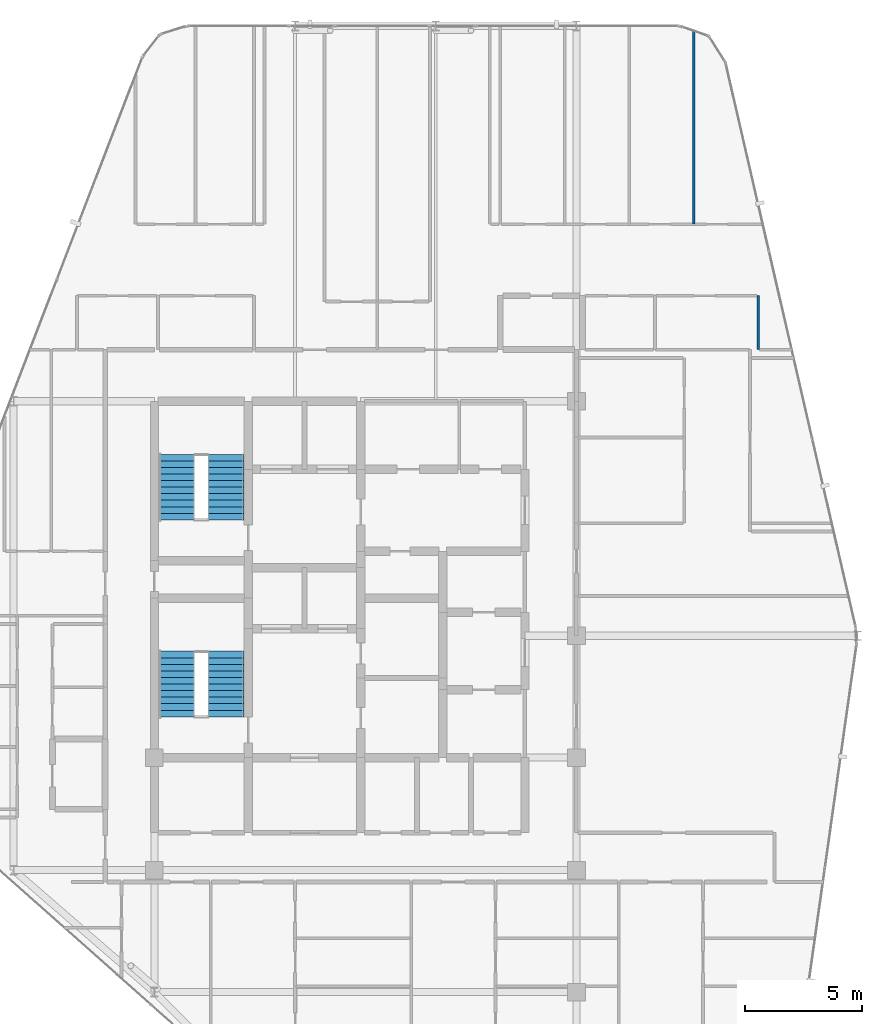
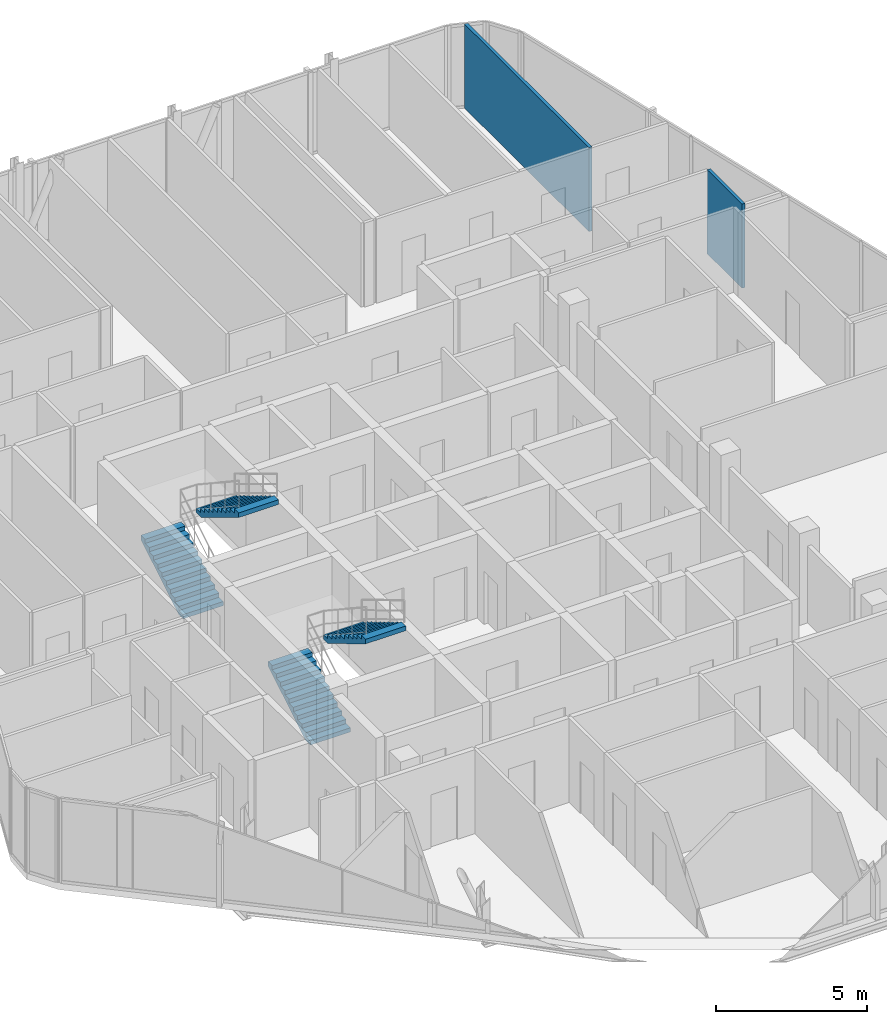
# One storey, part 27 of 28: 4 stair flights, 2 walls, 2 elements without a shape of their own.
"""IFC4 building model written with IfcOpenShell, lengths in metres."""

from ifc_helpers import new_model, si_unit, direction, frame, frame_2d, origin, place, context, subcontext, project, spatial, polyline, rectangle, outline, extrude, material, layer, layer_set, type_object, element, aggregate, save


model = new_model("IFC4")

# Units and contexts
model_context = context("Model", 3, precision=1e-05, world=origin(), true_north=direction((0.0, 1.0)))
body_context = subcontext(model_context, "Body", "Model", "MODEL_VIEW")
ifc_project = project(units=[si_unit("LENGTHUNIT", "METRE"), si_unit("AREAUNIT", "SQUARE_METRE"), si_unit("VOLUMEUNIT", "CUBIC_METRE"), si_unit("PLANEANGLEUNIT", "RADIAN"), si_unit("MASSUNIT", "GRAM", prefix="KILO")], contexts=[model_context])

# Site, building, storey
site_placement = place(None, origin())
site = spatial("IfcSite", under=ifc_project, at=site_placement, CompositionType="ELEMENT")
building_placement = place(site_placement, origin())
building = spatial("IfcBuilding", under=site, at=building_placement, Name="Keshet Zoharim Tower", CompositionType="ELEMENT")
storey_placement = place(building_placement, frame((0.0, 0.0, 258.39990234375)))
storey = spatial("IfcBuildingStorey", under=building, at=storey_placement, Name="L64", CompositionType="ELEMENT", Elevation=258.39990234375)

# Walls
ifc_material_1 = material(Name="Gypsum Plasterboard", Category="gypsum")
ifc_layer = layer(ifc_material_1, 0.1201171875)
ifc_layer_set = layer_set([ifc_layer], Name="Gypsum Plasterboard")
wall_type = type_object("IfcWallType", Name="WL-PART-120", PredefinedType="PARTITIONING", material=ifc_layer_set)
wall_1_placement = place(storey_placement, frame((38.0, 45.449951171875, 0.0), z_axis=(0.0, 0.0, 1.0), x_axis=(0.0, 1.0, 0.0)))
element("IfcWall", 1, at=wall_1_placement, inside=storey, type_object=wall_type, Name="L64 Interior Wall 087", PredefinedType="PARTITIONING", context=body_context, shape_type="SweptSolid", body=[
    extrude(rectangle(XDim=8.234130859375, YDim=0.1201171875, at=frame_2d((4.1171875, 0.0))), origin(), (0.0, 0.0, 1.0), 3.39013671875),
])
wall_2_placement = place(storey_placement, frame((40.75, 40.10009765625, 0.0), z_axis=(0.0, 0.0, 1.0), x_axis=(0.0, 1.0, 0.0)))
element("IfcWall", 2, at=wall_2_placement, inside=storey, type_object=wall_type, Name="L64 Interior Wall 094", PredefinedType="PARTITIONING", context=body_context, shape_type="SweptSolid", body=[
    extrude(rectangle(XDim=2.2998046875, YDim=0.1201171875, at=frame_2d((1.14990234375, 0.0))), origin(), (0.0, 0.0, 1.0), 3.39013671875),
])

# Stair, stair flights
ifc_material_2 = material(Name="Concrete C50/60", Category="concrete")
stair_type = type_object("IfcStairType", Name="STR-EXIT-135", PredefinedType="HALF_TURN_STAIR", material=ifc_material_2)
stair_1_placement = place(storey_placement, origin())
stair_1 = element("IfcStair", 3, at=stair_1_placement, inside=storey, type_object=stair_type, Name="L64 Enclosed Exit Stair ST-01", PredefinedType="HALF_TURN_STAIR")
stair_flight_type = type_object("IfcStairFlightType", Name="FLT-PRE-135", PredefinedType="STRAIGHT", material=ifc_material_2)
stair_flight_1_placement = place(storey_placement, frame((15.945068359375, 24.43994140625, 0.0), z_axis=(0.0, 0.0, 1.0), x_axis=(0.0, 1.0, 0.0)))
stair_flight_1 = element("IfcStairFlight", 4, at=stair_flight_1_placement, type_object=stair_flight_type, Name="ST-01 flight 1", NumberOfRisers=11, NumberOfTreads=10, PredefinedType="STRAIGHT", RiserHeight=0.168182, TreadLength=0.28, context=body_context, shape_type="SweptSolid", body=[
    extrude(outline(polyline([(0.0, 0.0), (0.0, 0.168212890625), (0.280029296875, 0.168212890625), (0.280029296875, 0.33642578125), (0.56005859375, 0.33642578125), (0.56005859375, 0.504638671875), (0.840087890625, 0.504638671875), (0.840087890625, 0.672607421875), (1.1201171875, 0.672607421875), (1.1201171875, 0.8408203125), (1.39990234375, 0.8408203125), (1.39990234375, 1.009033203125), (1.679931640625, 1.009033203125), (1.679931640625, 1.17724609375), (1.9599609375, 1.17724609375), (1.9599609375, 1.345458984375), (2.239990234375, 1.345458984375), (2.239990234375, 1.513671875), (2.52001953125, 1.513671875), (2.52001953125, 1.681884765625), (2.800048828125, 1.681884765625), (2.800048828125, 1.85009765625), (2.800048828125, 1.495361328125), (0.310546875, 0.0), (0.0, 0.0)])), frame((0.0, 0.76513671875, 0.0), z_axis=(0.0, -1.0, 0.0), x_axis=(1.0, 0.0, 0.0)), (0.0, 0.0, 1.0), 1.530029296875),
])
stair_flight_2_placement = place(storey_placement, frame((18.054931640625, 27.239990234375, 1.85009765625), z_axis=(0.0, 0.0, 1.0), x_axis=(0.0, -1.0, 0.0)))
stair_flight_2 = element("IfcStairFlight", 5, at=stair_flight_2_placement, type_object=stair_flight_type, Name="ST-01 flight 2", NumberOfRisers=11, NumberOfTreads=10, PredefinedType="STRAIGHT", RiserHeight=0.168182, TreadLength=0.28, context=body_context, shape_type="SweptSolid", body=[
    extrude(outline(polyline([(0.0, 0.0), (0.0, 0.168212890625), (0.280029296875, 0.168212890625), (0.280029296875, 0.33642578125), (0.56005859375, 0.33642578125), (0.56005859375, 0.504638671875), (0.840087890625, 0.504638671875), (0.840087890625, 0.672607421875), (1.1201171875, 0.672607421875), (1.1201171875, 0.8408203125), (1.39990234375, 0.8408203125), (1.39990234375, 1.009033203125), (1.679931640625, 1.009033203125), (1.679931640625, 1.17724609375), (1.9599609375, 1.17724609375), (1.9599609375, 1.345458984375), (2.239990234375, 1.345458984375), (2.239990234375, 1.513671875), (2.52001953125, 1.513671875), (2.52001953125, 1.681884765625), (2.800048828125, 1.681884765625), (2.800048828125, 1.85009765625), (2.800048828125, 1.495361328125), (0.310546875, 0.0), (0.0, 0.0)])), frame((0.0, 0.76513671875, 0.0), z_axis=(0.0, -1.0, 0.0), x_axis=(1.0, 0.0, 0.0)), (0.0, 0.0, 1.0), 1.530029296875),
])
aggregate(stair_1, [stair_flight_1, stair_flight_2])

stair_2_placement = place(storey_placement, origin())
stair_2 = element("IfcStair", 6, at=stair_2_placement, inside=storey, type_object=stair_type, Name="L64 Enclosed Exit Stair ST-02", PredefinedType="HALF_TURN_STAIR")
stair_flight_3_placement = place(storey_placement, frame((15.945068359375, 32.840087890625, 0.0), z_axis=(0.0, 0.0, 1.0), x_axis=(0.0, 1.0, 0.0)))
stair_flight_3 = element("IfcStairFlight", 7, at=stair_flight_3_placement, type_object=stair_flight_type, Name="ST-02 flight 1", NumberOfRisers=11, NumberOfTreads=10, PredefinedType="STRAIGHT", RiserHeight=0.168182, TreadLength=0.28, context=body_context, shape_type="SweptSolid", body=[
    extrude(outline(polyline([(0.0, 0.0), (0.0, 0.168212890625), (0.280029296875, 0.168212890625), (0.280029296875, 0.33642578125), (0.56005859375, 0.33642578125), (0.56005859375, 0.504638671875), (0.840087890625, 0.504638671875), (0.840087890625, 0.672607421875), (1.1201171875, 0.672607421875), (1.1201171875, 0.8408203125), (1.39990234375, 0.8408203125), (1.39990234375, 1.009033203125), (1.679931640625, 1.009033203125), (1.679931640625, 1.17724609375), (1.9599609375, 1.17724609375), (1.9599609375, 1.345458984375), (2.239990234375, 1.345458984375), (2.239990234375, 1.513671875), (2.52001953125, 1.513671875), (2.52001953125, 1.681884765625), (2.800048828125, 1.681884765625), (2.800048828125, 1.85009765625), (2.800048828125, 1.495361328125), (0.310546875, 0.0), (0.0, 0.0)])), frame((0.0, 0.76513671875, 0.0), z_axis=(0.0, -1.0, 0.0), x_axis=(1.0, 0.0, 0.0)), (0.0, 0.0, 1.0), 1.530029296875),
])
stair_flight_4_placement = place(storey_placement, frame((18.054931640625, 35.639892578125, 1.85009765625), z_axis=(0.0, 0.0, 1.0), x_axis=(0.0, -1.0, 0.0)))
stair_flight_4 = element("IfcStairFlight", 8, at=stair_flight_4_placement, type_object=stair_flight_type, Name="ST-02 flight 2", NumberOfRisers=11, NumberOfTreads=10, PredefinedType="STRAIGHT", RiserHeight=0.168182, TreadLength=0.28, context=body_context, shape_type="SweptSolid", body=[
    extrude(outline(polyline([(0.0, 0.0), (0.0, 0.168212890625), (0.280029296875, 0.168212890625), (0.280029296875, 0.33642578125), (0.56005859375, 0.33642578125), (0.56005859375, 0.504638671875), (0.840087890625, 0.504638671875), (0.840087890625, 0.672607421875), (1.1201171875, 0.672607421875), (1.1201171875, 0.8408203125), (1.39990234375, 0.8408203125), (1.39990234375, 1.009033203125), (1.679931640625, 1.009033203125), (1.679931640625, 1.17724609375), (1.9599609375, 1.17724609375), (1.9599609375, 1.345458984375), (2.239990234375, 1.345458984375), (2.239990234375, 1.513671875), (2.52001953125, 1.513671875), (2.52001953125, 1.681884765625), (2.800048828125, 1.681884765625), (2.800048828125, 1.85009765625), (2.800048828125, 1.495361328125), (0.310546875, 0.0), (0.0, 0.0)])), frame((0.0, 0.76513671875, 0.0), z_axis=(0.0, -1.0, 0.0), x_axis=(1.0, 0.0, 0.0)), (0.0, 0.0, 1.0), 1.530029296875),
])
aggregate(stair_2, [stair_flight_3, stair_flight_4])

save(model, "model.ifc")
